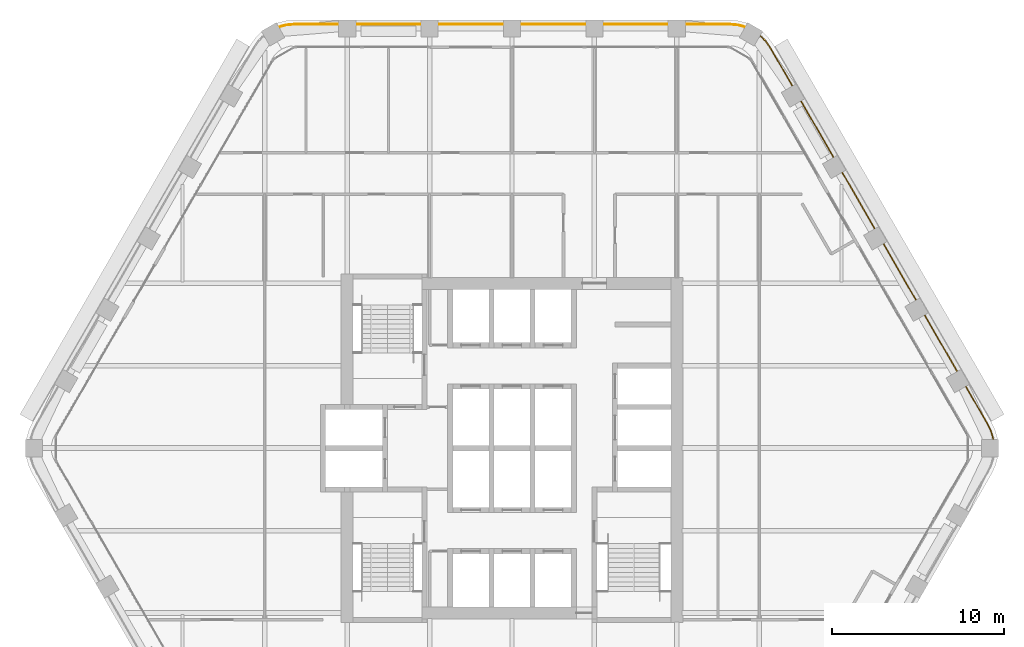
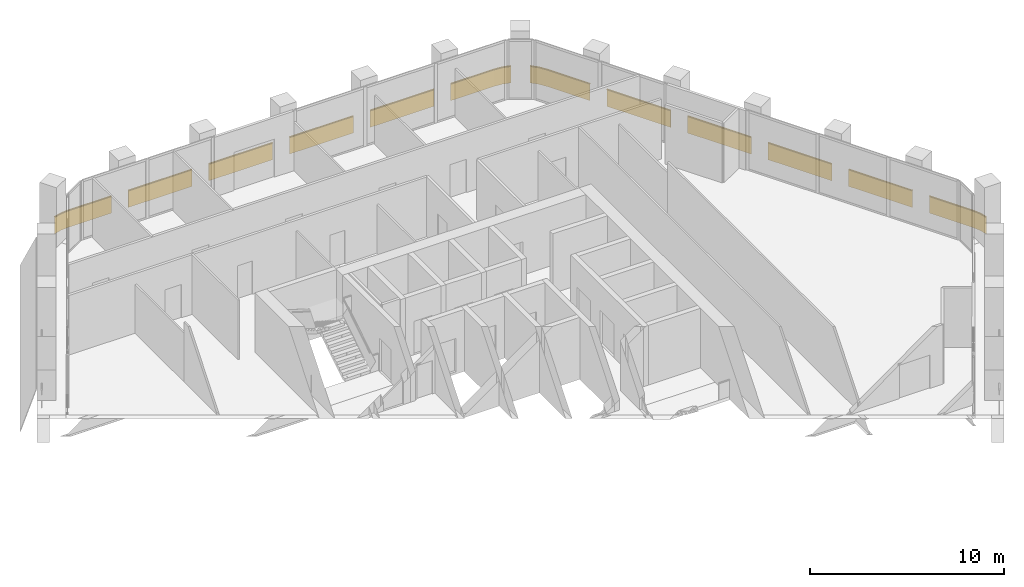
# One storey, part 15 of 15: 2 railings.
"""IFC4 building model written with IfcOpenShell, lengths in metres."""

from ifc_helpers import new_model, si_unit, direction, frame, frame_2d, origin, origin_2d, place, context, subcontext, project, spatial, rectangle, extrude, material, type_object, element, save


model = new_model("IFC4")

# Units and contexts
model_context = context("Model", 3, precision=1e-05, world=origin(), true_north=direction((0.0, 1.0)))
body_context = subcontext(model_context, "Body", "Model", "MODEL_VIEW")
ifc_project = project(units=[si_unit("LENGTHUNIT", "METRE"), si_unit("AREAUNIT", "SQUARE_METRE"), si_unit("VOLUMEUNIT", "CUBIC_METRE"), si_unit("PLANEANGLEUNIT", "RADIAN"), si_unit("MASSUNIT", "GRAM", prefix="KILO")], contexts=[model_context])

# Site, building, storey
site_placement = place(None, origin())
site = spatial("IfcSite", under=ifc_project, at=site_placement, CompositionType="ELEMENT")
building_placement = place(site_placement, origin())
building = spatial("IfcBuilding", under=site, at=building_placement, Name="Kolab Exchange Tower", CompositionType="ELEMENT")
storey_placement = place(building_placement, frame((0.0, 0.0, 189.5)))
storey = spatial("IfcBuildingStorey", under=building, at=storey_placement, Name="L40", CompositionType="ELEMENT", Elevation=189.5)

# Railings
ifc_material = material(Name="Steel S235", Category="steel")
railing_type = type_object("IfcRailingType", Name="GUARD 1100 GLASS BALUSTRADE AND STEEL TOP RAIL", PredefinedType="GUARDRAIL", material=ifc_material)
railing_1_placement = place(storey_placement, frame((13.588623046875, 24.531005859375, 0.0)))
element("IfcRailing", 1, at=railing_1_placement, inside=storey, type_object=railing_type, Name="Guard", PredefinedType="GUARDRAIL", context=body_context, shape_type="SweptSolid", body=[
    extrude(rectangle(XDim=0.05, YDim=0.05, at=origin_2d()), frame((0.0, 0.0, 1.0751953125), z_axis=(-0.965969425465, 0.25865627591, 0.0), x_axis=(-0.25865627591, -0.965969425465, 0.0)), (0.0, 0.0, 1.0), 0.458740234375),
    extrude(rectangle(XDim=0.012, YDim=1.05009765625, at=frame_2d((0.0, 0.525146484375))), frame((0.0, 0.0, 0.0), z_axis=(-0.965969425465, 0.25865627591, 0.0), x_axis=(-0.25865627591, -0.965969425465, 0.0)), (0.0, 0.0, 1.0), 0.458740234375),
    extrude(rectangle(XDim=0.05, YDim=0.05, at=origin_2d()), frame((-0.443115234375, 0.11865234375, 1.0751953125), z_axis=(-0.996156034798, 0.087596542937, 0.0), x_axis=(-0.087596542937, -0.996156034798, 0.0)), (0.0, 0.0, 1.0), 0.4794921875),
    extrude(rectangle(XDim=0.012, YDim=1.05009765625, at=frame_2d((0.0, 0.525146484375))), frame((-0.443115234375, 0.11865234375, 0.0), z_axis=(-0.996156034798, 0.087596542937, 0.0), x_axis=(-0.087596542937, -0.996156034798, 0.0)), (0.0, 0.0, 1.0), 0.4794921875),
    extrude(rectangle(XDim=0.05, YDim=0.05, at=origin_2d()), frame((-0.920654296875, 0.16064453125, 1.0751953125), z_axis=(-1.0, 0.0, 0.0), x_axis=(0.0, -1.0, 0.0)), (0.0, 0.0, 1.0), 2.56787109375),
    extrude(rectangle(XDim=0.012, YDim=1.05009765625, at=frame_2d((0.0, 0.525146484375))), frame((-0.920654296875, 0.16064453125, 0.0), z_axis=(-1.0, 0.0, 0.0), x_axis=(0.0, -1.0, 0.0)), (0.0, 0.0, 1.0), 2.56787109375),
    extrude(rectangle(XDim=0.05, YDim=0.05, at=origin_2d()), frame((-4.488525390625, 0.16064453125, 1.0751953125), z_axis=(-1.0, 0.0, 0.0), x_axis=(0.0, -1.0, 0.0)), (0.0, 0.0, 1.0), 3.800048828125),
    extrude(rectangle(XDim=0.012, YDim=1.05009765625, at=frame_2d((0.0, 0.525146484375))), frame((-4.488525390625, 0.16064453125, 0.0), z_axis=(-1.0, 0.0, 0.0), x_axis=(0.0, -1.0, 0.0)), (0.0, 0.0, 1.0), 3.800048828125),
    extrude(rectangle(XDim=0.05, YDim=0.05, at=origin_2d()), frame((-9.28857421875, 0.16064453125, 1.0751953125), z_axis=(-1.0, 0.0, 0.0), x_axis=(0.0, -1.0, 0.0)), (0.0, 0.0, 1.0), 3.800048828125),
    extrude(rectangle(XDim=0.012, YDim=1.05009765625, at=frame_2d((0.0, 0.525146484375))), frame((-9.28857421875, 0.16064453125, 0.0), z_axis=(-1.0, 0.0, 0.0), x_axis=(0.0, -1.0, 0.0)), (0.0, 0.0, 1.0), 3.800048828125),
    extrude(rectangle(XDim=0.05, YDim=0.05, at=origin_2d()), frame((-14.088623046875, 0.16064453125, 1.0751953125), z_axis=(-1.0, 0.0, 0.0), x_axis=(0.0, -1.0, 0.0)), (0.0, 0.0, 1.0), 3.800048828125),
    extrude(rectangle(XDim=0.012, YDim=1.05009765625, at=frame_2d((0.0, 0.525146484375))), frame((-14.088623046875, 0.16064453125, 0.0), z_axis=(-1.0, 0.0, 0.0), x_axis=(0.0, -1.0, 0.0)), (0.0, 0.0, 1.0), 3.800048828125),
    extrude(rectangle(XDim=0.05, YDim=0.05, at=origin_2d()), frame((-18.888671875, 0.16064453125, 1.0751953125), z_axis=(-1.0, 0.0, 0.0), x_axis=(0.0, -1.0, 0.0)), (0.0, 0.0, 1.0), 3.800048828125),
    extrude(rectangle(XDim=0.012, YDim=1.05009765625, at=frame_2d((0.0, 0.525146484375))), frame((-18.888671875, 0.16064453125, 0.0), z_axis=(-1.0, 0.0, 0.0), x_axis=(0.0, -1.0, 0.0)), (0.0, 0.0, 1.0), 3.800048828125),
    extrude(rectangle(XDim=0.05, YDim=0.05, at=origin_2d()), frame((-23.688720703125, 0.16064453125, 1.0751953125), z_axis=(-1.0, 0.0, 0.0), x_axis=(0.0, -1.0, 0.0)), (0.0, 0.0, 1.0), 2.56787109375),
    extrude(rectangle(XDim=0.012, YDim=1.05009765625, at=frame_2d((0.0, 0.525146484375))), frame((-23.688720703125, 0.16064453125, 0.0), z_axis=(-1.0, 0.0, 0.0), x_axis=(0.0, -1.0, 0.0)), (0.0, 0.0, 1.0), 2.56787109375),
    extrude(rectangle(XDim=0.05, YDim=0.05, at=origin_2d()), frame((-26.256591796875, 0.16064453125, 1.0751953125), z_axis=(-0.996156034798, -0.087596542937, 0.0), x_axis=(0.087596542937, -0.996156034798, 0.0)), (0.0, 0.0, 1.0), 0.4794921875),
    extrude(rectangle(XDim=0.012, YDim=1.05009765625, at=frame_2d((0.0, 0.525146484375))), frame((-26.256591796875, 0.16064453125, 0.0), z_axis=(-0.996156034798, -0.087596542937, 0.0), x_axis=(0.087596542937, -0.996156034798, 0.0)), (0.0, 0.0, 1.0), 0.4794921875),
    extrude(rectangle(XDim=0.05, YDim=0.05, at=origin_2d()), frame((-26.734130859375, 0.11865234375, 1.0751953125), z_axis=(-0.965969425465, -0.25865627591, 0.0), x_axis=(0.25865627591, -0.965969425465, 0.0)), (0.0, 0.0, 1.0), 0.458740234375),
    extrude(rectangle(XDim=0.012, YDim=1.05009765625, at=frame_2d((0.0, 0.525146484375))), frame((-26.734130859375, 0.11865234375, 0.0), z_axis=(-0.965969425465, -0.25865627591, 0.0), x_axis=(0.25865627591, -0.965969425465, 0.0)), (0.0, 0.0, 1.0), 0.458740234375),
])
railing_2_placement = place(storey_placement, frame((28.038818359375, 0.49755859375, 0.0)))
element("IfcRailing", 2, at=railing_2_placement, inside=storey, type_object=railing_type, Name="Guard", PredefinedType="GUARDRAIL", context=body_context, shape_type="SweptSolid", body=[
    extrude(rectangle(XDim=0.05, YDim=0.05, at=origin_2d()), frame((0.0, 0.0, 1.0751953125), z_axis=(-0.25865627591, 0.965969425465, 0.0), x_axis=(-0.965969425465, -0.25865627591, 0.0)), (0.0, 0.0, 1.0), 0.458740234375),
    extrude(rectangle(XDim=0.012, YDim=1.05009765625, at=frame_2d((0.0, 0.525146484375))), frame((0.0, 0.0, 0.0), z_axis=(-0.25865627591, 0.965969425465, 0.0), x_axis=(-0.965969425465, -0.25865627591, 0.0)), (0.0, 0.0, 1.0), 0.458740234375),
    extrude(rectangle(XDim=0.05, YDim=0.05, at=origin_2d()), frame((-0.11865234375, 0.443115234375, 1.0751953125), z_axis=(-0.422801802984, 0.906222177721, 0.0), x_axis=(-0.906222177721, -0.422801802984, 0.0)), (0.0, 0.0, 1.0), 0.479248046875),
    extrude(rectangle(XDim=0.012, YDim=1.05009765625, at=frame_2d((0.0, 0.525146484375))), frame((-0.11865234375, 0.443115234375, 0.0), z_axis=(-0.422801802984, 0.906222177721, 0.0), x_axis=(-0.906222177721, -0.422801802984, 0.0)), (0.0, 0.0, 1.0), 0.479248046875),
    extrude(rectangle(XDim=0.05, YDim=0.05, at=origin_2d()), frame((-0.3212890625, 0.87744140625, 1.0751953125), z_axis=(-0.499994038704, 0.866028845513, 0.0), x_axis=(-0.866028845513, -0.499994038704, 0.0)), (0.0, 0.0, 1.0), 2.56787109375),
    extrude(rectangle(XDim=0.012, YDim=1.05009765625, at=frame_2d((0.0, 0.525146484375))), frame((-0.3212890625, 0.87744140625, 0.0), z_axis=(-0.499994038704, 0.866028845513, 0.0), x_axis=(-0.866028845513, -0.499994038704, 0.0)), (0.0, 0.0, 1.0), 2.56787109375),
    extrude(rectangle(XDim=0.05, YDim=0.05, at=origin_2d()), frame((-2.105224609375, 3.96728515625, 1.0751953125), z_axis=(-0.500015340139, 0.86601654697, 0.0), x_axis=(-0.86601654697, -0.500015340139, 0.0)), (0.0, 0.0, 1.0), 3.80029296875),
    extrude(rectangle(XDim=0.012, YDim=1.05009765625, at=frame_2d((0.0, 0.525146484375))), frame((-2.105224609375, 3.96728515625, 0.0), z_axis=(-0.500015340139, 0.86601654697, 0.0), x_axis=(-0.86601654697, -0.500015340139, 0.0)), (0.0, 0.0, 1.0), 3.80029296875),
    extrude(rectangle(XDim=0.05, YDim=0.05, at=origin_2d()), frame((-4.50537109375, 8.124267578125, 1.0751953125), z_axis=(-0.499967155389, 0.866044365799, 0.0), x_axis=(-0.866044365799, -0.499967155389, 0.0)), (0.0, 0.0, 1.0), 3.800048828125),
    extrude(rectangle(XDim=0.012, YDim=1.05009765625, at=frame_2d((0.0, 0.525146484375))), frame((-4.50537109375, 8.124267578125, 0.0), z_axis=(-0.499967155389, 0.866044365799, 0.0), x_axis=(-0.866044365799, -0.499967155389, 0.0)), (0.0, 0.0, 1.0), 3.800048828125),
    extrude(rectangle(XDim=0.05, YDim=0.05, at=origin_2d()), frame((-6.9052734375, 12.28125, 1.0751953125), z_axis=(-0.500043160704, 0.866000483506, 0.0), x_axis=(-0.866000483506, -0.500043160704, 0.0)), (0.0, 0.0, 1.0), 3.800048828125),
    extrude(rectangle(XDim=0.012, YDim=1.05009765625, at=frame_2d((0.0, 0.525146484375))), frame((-6.9052734375, 12.28125, 0.0), z_axis=(-0.500043160704, 0.866000483506, 0.0), x_axis=(-0.866000483506, -0.500043160704, 0.0)), (0.0, 0.0, 1.0), 3.800048828125),
    extrude(rectangle(XDim=0.05, YDim=0.05, at=origin_2d()), frame((-9.305419921875, 16.438232421875, 1.0751953125), z_axis=(-0.499994975061, 0.866028304915, 0.0), x_axis=(-0.866028304915, -0.499994975061, 0.0)), (0.0, 0.0, 1.0), 3.7998046875),
    extrude(rectangle(XDim=0.012, YDim=1.05009765625, at=frame_2d((0.0, 0.525146484375))), frame((-9.305419921875, 16.438232421875, 0.0), z_axis=(-0.499994975061, 0.866028304915, 0.0), x_axis=(-0.866028304915, -0.499994975061, 0.0)), (0.0, 0.0, 1.0), 3.7998046875),
    extrude(rectangle(XDim=0.05, YDim=0.05, at=origin_2d()), frame((-11.705322265625, 20.594970703125, 1.0751953125), z_axis=(-0.499952873616, 0.866052610505, 0.0), x_axis=(-0.866052610505, -0.499952873616, 0.0)), (0.0, 0.0, 1.0), 2.568115234375),
    extrude(rectangle(XDim=0.012, YDim=1.05009765625, at=frame_2d((0.0, 0.525146484375))), frame((-11.705322265625, 20.594970703125, 0.0), z_axis=(-0.499952873616, 0.866052610505, 0.0), x_axis=(-0.866052610505, -0.499952873616, 0.0)), (0.0, 0.0, 1.0), 2.568115234375),
    extrude(rectangle(XDim=0.05, YDim=0.05, at=origin_2d()), frame((-12.9892578125, 22.819091796875, 1.0751953125), z_axis=(-0.573599091554, 0.819136180478, 0.0), x_axis=(-0.819136180478, -0.573599091554, 0.0)), (0.0, 0.0, 1.0), 0.479248046875),
    extrude(rectangle(XDim=0.012, YDim=1.05009765625, at=frame_2d((0.0, 0.525146484375))), frame((-12.9892578125, 22.819091796875, 0.0), z_axis=(-0.573599091554, 0.819136180478, 0.0), x_axis=(-0.819136180478, -0.573599091554, 0.0)), (0.0, 0.0, 1.0), 0.479248046875),
    extrude(rectangle(XDim=0.05, YDim=0.05, at=origin_2d()), frame((-13.26416015625, 23.211669921875, 1.0751953125), z_axis=(-0.70737286085, 0.706840601361, 0.0), x_axis=(-0.706840601361, -0.70737286085, 0.0)), (0.0, 0.0, 1.0), 0.458740234375),
    extrude(rectangle(XDim=0.012, YDim=1.05009765625, at=frame_2d((0.0, 0.525146484375))), frame((-13.26416015625, 23.211669921875, 0.0), z_axis=(-0.70737286085, 0.706840601361, 0.0), x_axis=(-0.706840601361, -0.70737286085, 0.0)), (0.0, 0.0, 1.0), 0.458740234375),
])

save(model, "model.ifc")
